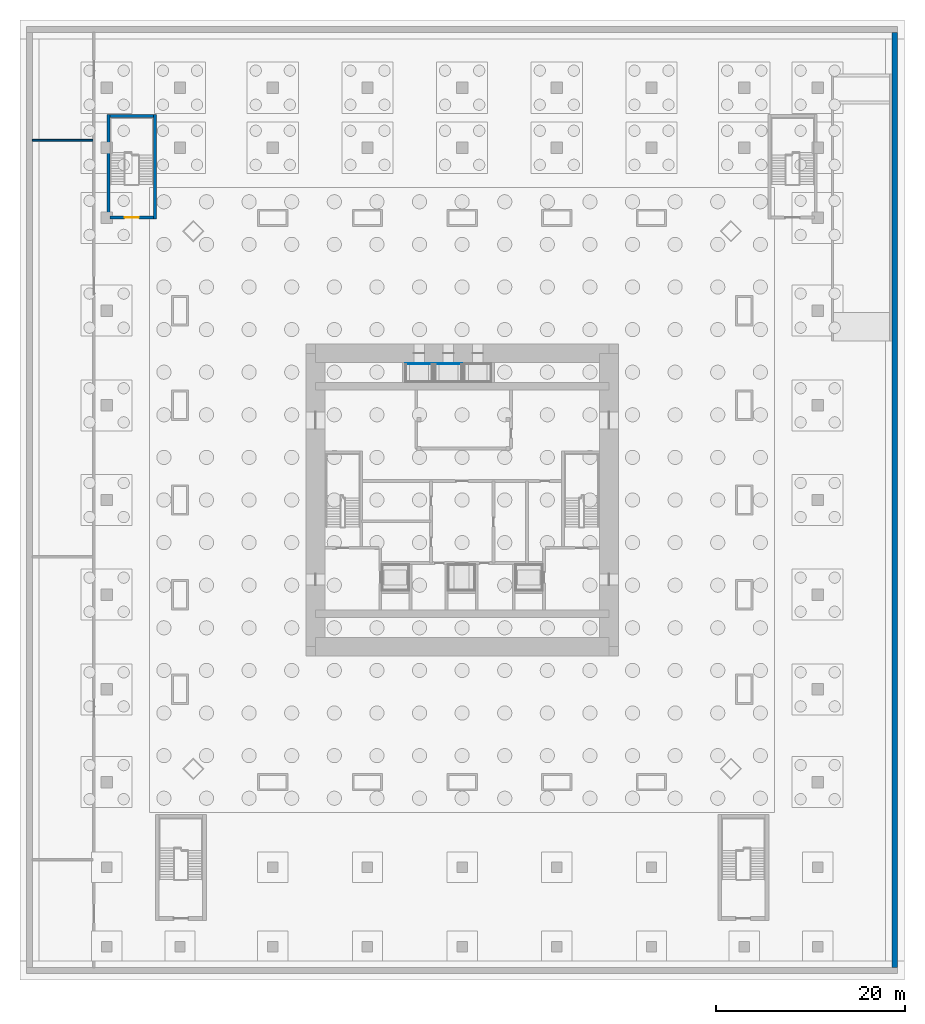
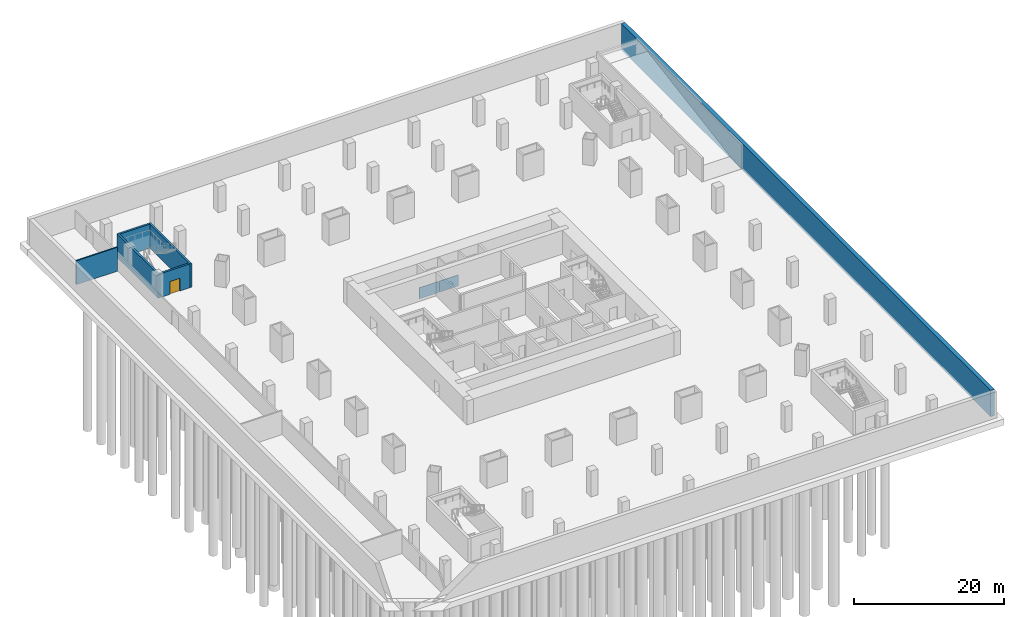
# One storey, part 6 of 11: 8 walls, 1 door, 1 opening.
"""IFC4 building model written with IfcOpenShell, lengths in metres."""

from ifc_helpers import new_model, si_unit, direction, frame, frame_2d, origin, place, context, subcontext, project, spatial, rectangle, extrude, material, layer, layer_set, type_object, element, fill, save


model = new_model("IFC4")

# Units and contexts
model_context = context("Model", 3, precision=1e-05, world=origin(), true_north=direction((0.0, 1.0)))
body_context = subcontext(model_context, "Body", "Model", "MODEL_VIEW")
ifc_project = project(units=[si_unit("LENGTHUNIT", "METRE"), si_unit("AREAUNIT", "SQUARE_METRE"), si_unit("VOLUMEUNIT", "CUBIC_METRE"), si_unit("PLANEANGLEUNIT", "RADIAN"), si_unit("MASSUNIT", "GRAM", prefix="KILO")], contexts=[model_context])

# Site, building, storey
site_placement = place(None, origin())
site = spatial("IfcSite", under=ifc_project, at=site_placement, CompositionType="ELEMENT")
building_placement = place(site_placement, origin())
building = spatial("IfcBuilding", under=site, at=building_placement, Name="Khuree Lantern Residences", CompositionType="ELEMENT")
storey_placement = place(building_placement, frame((0.0, 0.0, -13.199951171875)))
storey = spatial("IfcBuildingStorey", under=building, at=storey_placement, Name="B3", CompositionType="ELEMENT", Elevation=-13.199951171875)

# Walls
ifc_material_1 = material(Name="Concrete C40/50", Category="concrete")
ifc_layer_1 = layer(ifc_material_1, 0.10009765625)
ifc_layer_set_1 = layer_set([ifc_layer_1], Name="LIFT PIT WALL PW1 100")
wall_type_1 = type_object("IfcWallType", Name="LIFT PIT WALL PW1 100", PredefinedType="SOLIDWALL", material=ifc_layer_set_1)
for number, where, z_axis, x_axis, name in (
    (1, (-3.10009765625, 14.39990234375, -1.800048828125), (0.0, 0.0, 1.0), (-1.0, 0.0, 0.0), "Lift PL1 pit wall"),
    (2, (0.0, 14.39990234375, -1.800048828125), (0.0, 0.0, 1.0), (-1.0, 0.0, 0.0), "Lift PL2 pit wall"),
):
    element("IfcWall", number, at=place(storey_placement, frame(where, z_axis=z_axis, x_axis=x_axis)), inside=storey, type_object=wall_type_1, Name=name, PredefinedType="SOLIDWALL", context=body_context, shape_type="SweptSolid", body=[
        extrude(rectangle(XDim=2.89990234375, YDim=0.10009765625, at=frame_2d((1.449951171875, 0.0))), origin(), (0.0, 0.0, 1.0), 1.800048828125),
    ])
ifc_material_2 = material(Name="Dense concrete blockwork", Category="masonry")
ifc_layer_2 = layer(ifc_material_2, 0.199951171875)
ifc_layer_set_2 = layer_set([ifc_layer_2], Name="ROOM WALL RMW200")
wall_type_2 = type_object("IfcWallType", Name="ROOM WALL RMW200", PredefinedType="SOLIDWALL", material=ifc_layer_set_2)
wall_1_placement = place(storey_placement, frame((-45.3798828125, 38.0, 0.0), z_axis=(0.0, 0.0, 1.0), x_axis=(1.0, 0.0, 0.0)))
element("IfcWall", 3, at=wall_1_placement, inside=storey, type_object=wall_type_2, Name="B3 ROOM WALL 4", PredefinedType="SOLIDWALL", context=body_context, shape_type="SweptSolid", body=[
    extrude(rectangle(XDim=6.3798828125, YDim=0.199951171875, at=frame_2d((3.18994140625, 0.0))), origin(), (0.0, 0.0, 1.0), 3.89990234375),
])
ifc_layer_3 = layer(ifc_material_1, 0.60009765625)
ifc_layer_set_3 = layer_set([ifc_layer_3], Name="RW1 BASEMENT RETAINING WALL 600")
wall_type_3 = type_object("IfcWallType", Name="RW1 BASEMENT RETAINING WALL 600", PredefinedType="SOLIDWALL", material=ifc_layer_set_3)
wall_2_placement = place(storey_placement, frame((45.699951171875, -49.39990234375, -0.400146484375), z_axis=(0.0, 0.0, 1.0), x_axis=(0.0, 1.0, 0.0)))
element("IfcWall", 4, at=wall_2_placement, inside=storey, type_object=wall_type_3, Name="Retaining wall E", PredefinedType="SOLIDWALL", context=body_context, shape_type="SweptSolid", body=[
    extrude(rectangle(XDim=98.7998046875, YDim=0.60009765625, at=frame_2d((49.39990234375, 0.0))), origin(), (0.0, 0.0, 1.0), 4.300048828125),
])
ifc_material_3 = material(Name="Concrete C50/60", Category="concrete")
ifc_layer_4 = layer(ifc_material_3, 0.300048828125)
ifc_layer_set_4 = layer_set([ifc_layer_4], Name="STAIR WALL SRW300 C50/60 REI 240")
wall_type_4 = type_object("IfcWallType", Name="STAIR WALL SRW300 C50/60 REI 240", PredefinedType="SOLIDWALL", material=ifc_layer_set_4)
wall_3_placement = place(storey_placement, frame((-37.35009765625, 29.699951171875, 0.0), z_axis=(0.0, 0.0, 1.0), x_axis=(0.0, 1.0, 0.0)))
element("IfcWall", 5, at=wall_3_placement, inside=storey, type_object=wall_type_4, Name="B3 STAIR ST3 WALL O", PredefinedType="SOLIDWALL", context=body_context, shape_type="SweptSolid", body=[
    extrude(rectangle(XDim=11.0, YDim=0.300048828125, at=frame_2d((5.5, 0.0))), origin(), (0.0, 0.0, 1.0), 3.89990234375),
])

# Wall, opening, door
wall_4_placement = place(storey_placement, frame((-37.199951171875, 29.85009765625, 0.0), z_axis=(0.0, 0.0, 1.0), x_axis=(1.0, 0.0, 0.0)))
wall_4 = element("IfcWall", 6, at=wall_4_placement, inside=storey, type_object=wall_type_4, Name="B3 STAIR ST3 WALL S", PredefinedType="SOLIDWALL", context=body_context, shape_type="SweptSolid", body=[
    extrude(rectangle(XDim=4.599853515625, YDim=0.300048828125, at=frame_2d((2.2998046875, 0.0))), origin(), (0.0, 0.0, 1.0), 3.89990234375),
])
opening_placement = place(wall_4_placement, frame((1.550048828125, 0.0, 0.0)))
opening = element("IfcOpeningElement", 7, at=opening_placement, cuts=wall_4, Name="Opening B3-023", PredefinedType="OPENING", context=body_context, shape_type="SweptSolid", body=[
    extrude(rectangle(XDim=1.5, YDim=2.10009765625, at=frame_2d((0.75, 1.050048828125))), frame((0.0, 0.16015625, 0.0), z_axis=(0.0, -1.0, 0.0), x_axis=(1.0, 0.0, 0.0)), (0.0, 0.0, 1.0), 0.320068359375),
])
ifc_material_4 = material(Name="Steel door leaf in steel frame", Category="steel")
door_type = type_object("IfcDoorType", Name="STAIR DOOR 1500X2100 EI 120", OperationType="DOUBLE_DOOR_SINGLE_SWING", PredefinedType="DOOR", material=ifc_material_4)
door_placement = place(opening_placement, origin())
door = element("IfcDoor", 8, at=door_placement, inside=storey, type_object=door_type, Name="Stair ST3 door B3-023", OperationType="DOUBLE_DOOR_SINGLE_SWING", OverallHeight=2.10009765625, OverallWidth=1.5, PredefinedType="DOOR", context=body_context, shape_type="SweptSolid", body=[
    extrude(rectangle(XDim=1.5, YDim=2.10009765625, at=frame_2d((0.75, 1.050048828125))), frame((0.0, 0.02490234375, 0.0), z_axis=(0.0, -1.0, 0.0), x_axis=(1.0, 0.0, 0.0)), (0.0, 0.0, 1.0), 0.050048828125),
])
fill(opening, door)

# Walls
wall_5_placement = place(storey_placement, frame((-32.449951171875, 29.699951171875, 0.0), z_axis=(0.0, 0.0, 1.0), x_axis=(0.0, 1.0, 0.0)))
element("IfcWall", 9, at=wall_5_placement, inside=storey, type_object=wall_type_4, Name="B3 STAIR ST3 WALL I", PredefinedType="SOLIDWALL", context=body_context, shape_type="SweptSolid", body=[
    extrude(rectangle(XDim=11.0, YDim=0.300048828125, at=frame_2d((5.5, 0.0))), origin(), (0.0, 0.0, 1.0), 3.89990234375),
])
wall_6_placement = place(storey_placement, frame((-37.199951171875, 40.550048828125, 0.0), z_axis=(0.0, 0.0, 1.0), x_axis=(1.0, 0.0, 0.0)))
element("IfcWall", 10, at=wall_6_placement, inside=storey, type_object=wall_type_4, Name="B3 STAIR ST3 WALL N", PredefinedType="SOLIDWALL", context=body_context, shape_type="SweptSolid", body=[
    extrude(rectangle(XDim=4.599853515625, YDim=0.300048828125, at=frame_2d((2.2998046875, 0.0))), origin(), (0.0, 0.0, 1.0), 3.89990234375),
])

save(model, "model.ifc")
